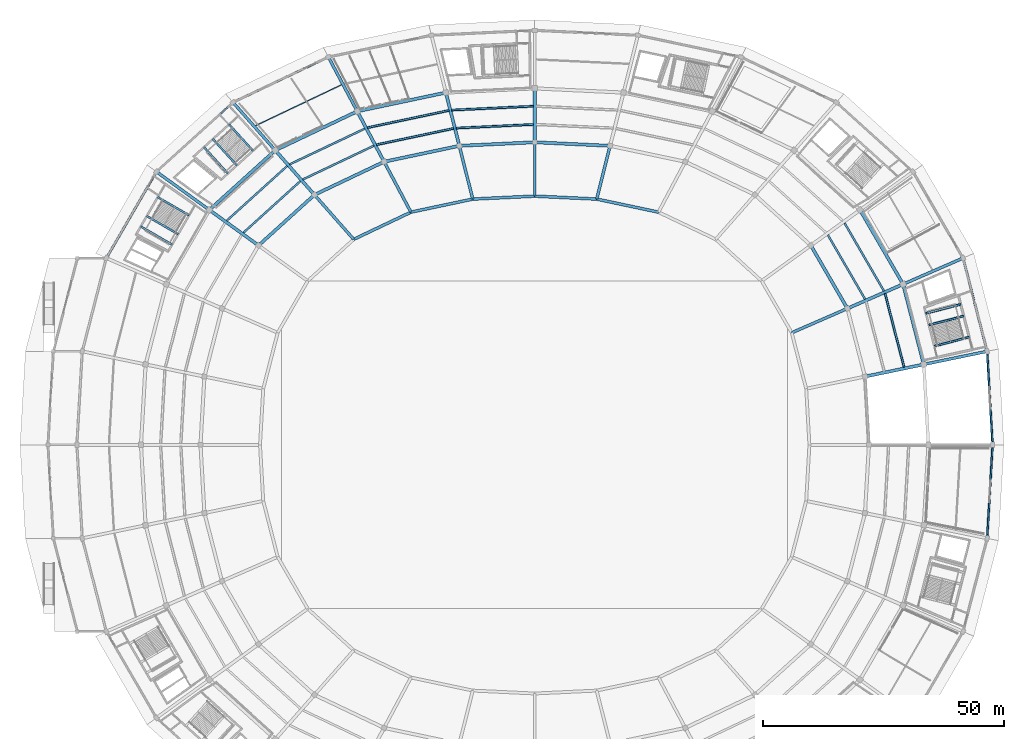
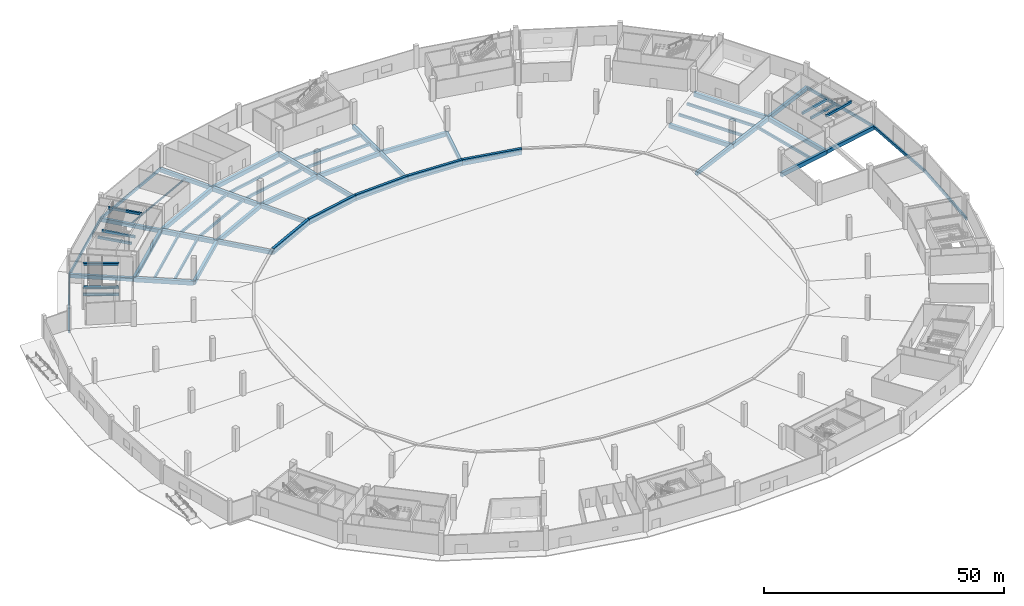
# One storey, part 5 of 48: 66 beams.
"""IFC4 building model written with IfcOpenShell, lengths in metres."""

from ifc_helpers import new_model, si_unit, direction, frame, origin, origin_2d, place, context, subcontext, project, spatial, rectangle, i_section, extrude, material, material_profile, profile_set, type_object, element, save


model = new_model("IFC4")

# Units and contexts
model_context = context("Model", 3, precision=1e-05, world=origin(), true_north=direction((0.0, 1.0)))
body_context = subcontext(model_context, "Body", "Model", "MODEL_VIEW")
ifc_project = project(units=[si_unit("LENGTHUNIT", "METRE"), si_unit("AREAUNIT", "SQUARE_METRE"), si_unit("VOLUMEUNIT", "CUBIC_METRE"), si_unit("PLANEANGLEUNIT", "RADIAN"), si_unit("MASSUNIT", "GRAM", prefix="KILO")], contexts=[model_context])

# Site, building, storey
site_placement = place(None, origin())
site = spatial("IfcSite", under=ifc_project, at=site_placement, CompositionType="ELEMENT")
building_placement = place(site_placement, origin())
building = spatial("IfcBuilding", under=site, at=building_placement, Name="Kazemori Nagisa Stadium", CompositionType="ELEMENT")
storey_placement = place(building_placement, origin())
storey = spatial("IfcBuildingStorey", under=building, at=storey_placement, Name="L00", CompositionType="ELEMENT", Elevation=0.0)

# Beams
ifc_material_1 = material(Name="Concrete C40/50 (Fc42)", Category="concrete")
ifc_material_profile_1 = material_profile(ifc_material_1, rectangle(XDim=0.39990234375, YDim=0.60009765625, at=origin_2d()), Name="RC-BM-400x600")
ifc_profile_set_1 = profile_set([ifc_material_profile_1], Name="Concrete C40/50 (Fc42)")
beam_type_1 = type_object("IfcBeamType", Name="Beam_BG-LND400X600", PredefinedType="BEAM", material=ifc_profile_set_1)
beam_1_placement = place(storey_placement, frame((204.788330078125, 126.869384765625, 2.389892578125), z_axis=(0.968258440217, 0.24995118113, 0.0), x_axis=(-0.24995118113, 0.968258440217, 0.0)))
element("IfcBeam", 1, at=beam_1_placement, inside=storey, type_object=beam_type_1, Name="Core stair mid-landing girder ST07-L00-1", PredefinedType="BEAM", context=body_context, shape_type="SweptSolid", body=[
    extrude(rectangle(XDim=0.39990234375, YDim=0.60009765625, at=origin_2d()), origin(), (0.0, 0.0, 1.0), 7.46826171875),
])
for number, where, z_axis, x_axis, name in (
    (2, (204.163330078125, 129.2900390625, 2.389892578125), (0.968260482475, 0.249943269717, 0.0), (-0.249943269717, 0.968260482475, 0.0), "Core stair mid-landing girder ST07-L00-2"),
    (3, (205.920654296875, 122.483154296875, 5.199951171875), (0.968252570883, 0.249973916595, 0.0), (-0.249973916595, 0.968252570883, 0.0), "Core stair arrival header girder ST07-L00"),
):
    element("IfcBeam", number, at=place(storey_placement, frame(where, z_axis=z_axis, x_axis=x_axis)), inside=storey, type_object=beam_type_1, Name=name, PredefinedType="BEAM", context=body_context, shape_type="SweptSolid", body=[
        extrude(rectangle(XDim=0.39990234375, YDim=0.60009765625, at=origin_2d()), origin(), (0.0, 0.0, 1.0), 7.468505859375),
    ])
for number, where, z_axis, x_axis, name in (
    (4, (61.184814453125, 159.97314453125, 2.389892578125), (-0.671113236271, 0.74135485707, 0.0), (-0.74135485707, -0.671113236271, 0.0), "Core stair mid-landing girder ST02-L00-1"),
    (5, (59.33154296875, 158.29541015625, 2.389892578125), (-0.671113236271, 0.74135485707, 0.0), (-0.74135485707, -0.671113236271, 0.0), "Core stair mid-landing girder ST02-L00-2"),
    (6, (64.543212890625, 163.01318359375, 5.199951171875), (-0.671113236271, 0.74135485707, 0.0), (-0.74135485707, -0.671113236271, 0.0), "Core stair arrival header girder ST02-L00"),
):
    element("IfcBeam", number, at=place(storey_placement, frame(where, z_axis=z_axis, x_axis=x_axis)), inside=storey, type_object=beam_type_1, Name=name, PredefinedType="BEAM", context=body_context, shape_type="SweptSolid", body=[
        extrude(rectangle(XDim=0.39990234375, YDim=0.60009765625, at=origin_2d()), origin(), (0.0, 0.0, 1.0), 7.385986328125),
    ])
for number, where, z_axis, x_axis, name in (
    (7, (49.013427734375, 145.702880859375, 2.389892578125), (-0.865094639125, 0.501608677514, 0.0), (-0.501608677514, -0.865094639125, 0.0), "Core stair mid-landing girder ST08-L00-1"),
    (8, (47.759521484375, 143.540283203125, 2.389892578125), (-0.865094639125, 0.501608677514, 0.0), (-0.501608677514, -0.865094639125, 0.0), "Core stair mid-landing girder ST08-L00-2"),
):
    element("IfcBeam", number, at=place(storey_placement, frame(where, z_axis=z_axis, x_axis=x_axis)), inside=storey, type_object=beam_type_1, Name=name, PredefinedType="BEAM", context=body_context, shape_type="SweptSolid", body=[
        extrude(rectangle(XDim=0.39990234375, YDim=0.60009765625, at=origin_2d()), origin(), (0.0, 0.0, 1.0), 7.513916015625),
    ])
beam_2_placement = place(storey_placement, frame((51.28564453125, 149.621826171875, 5.199951171875), z_axis=(-0.865086463473, 0.50162277731, 0.0), x_axis=(-0.50162277731, -0.865086463473, 0.0)))
element("IfcBeam", 9, at=beam_2_placement, inside=storey, type_object=beam_type_1, Name="Core stair arrival header girder ST08-L00", PredefinedType="BEAM", context=body_context, shape_type="SweptSolid", body=[
    extrude(rectangle(XDim=0.39990234375, YDim=0.60009765625, at=origin_2d()), origin(), (0.0, 0.0, 1.0), 7.513671875),
])
ifc_material_profile_2 = material_profile(ifc_material_1, rectangle(XDim=0.60009765625, YDim=0.949951171875, at=origin_2d()), Name="RC-BM-600x950")
ifc_profile_set_2 = profile_set([ifc_material_profile_2], Name="Concrete C40/50 (Fc42)")
beam_type_2 = type_object("IfcBeamType", Name="Beam_BG-RC600X950", PredefinedType="BEAM", material=ifc_profile_set_2)
beam_3_placement = place(storey_placement, frame((148.682861328125, 150.278564453125, -0.77490234375), z_axis=(-0.978343611705, 0.206987384729, 0.0), x_axis=(-0.206987384729, -0.978343611705, 0.0)))
element("IfcBeam", 10, at=beam_3_placement, inside=storey, type_object=beam_type_2, Name="Ring girder BG-RC600X950 L00 R0-06", PredefinedType="BEAM", context=body_context, shape_type="SweptSolid", body=[
    extrude(rectangle(XDim=0.60009765625, YDim=0.949951171875, at=origin_2d()), origin(), (0.0, 0.0, 1.0), 13.110107421875),
])
for number, where, z_axis, x_axis, name in (
    (11, (135.856689453125, 152.9921875, -0.77490234375), (-0.998884003033, 0.047230800166, 0.0), (-0.047230800166, -0.998884003033, 0.0), "Ring girder BG-RC600X950 L00 R0-07"),
    (12, (123.0, 153.60009765625, -0.77490234375), (-0.998884003033, -0.047230800166, 0.0), (0.047230800166, -0.998884003033, 0.0), "Ring girder BG-RC600X950 L00 R0-08"),
):
    element("IfcBeam", number, at=place(storey_placement, frame(where, z_axis=z_axis, x_axis=x_axis)), inside=storey, type_object=beam_type_2, Name=name, PredefinedType="BEAM", context=body_context, shape_type="SweptSolid", body=[
        extrude(rectangle(XDim=0.60009765625, YDim=0.949951171875, at=origin_2d()), origin(), (0.0, 0.0, 1.0), 12.87109375),
    ])
beam_4_placement = place(storey_placement, frame((110.143310546875, 152.9921875, -0.77490234375), z_axis=(-0.978343611705, -0.206987384729, 0.0), x_axis=(0.206987384729, -0.978343611705, 0.0)))
element("IfcBeam", 13, at=beam_4_placement, inside=storey, type_object=beam_type_2, Name="Ring girder BG-RC600X950 L00 R0-09", PredefinedType="BEAM", context=body_context, shape_type="SweptSolid", body=[
    extrude(rectangle(XDim=0.60009765625, YDim=0.949951171875, at=origin_2d()), origin(), (0.0, 0.0, 1.0), 13.110107421875),
])
beam_5_placement = place(storey_placement, frame((97.317138671875, 150.278564453125, -0.77490234375), z_axis=(-0.903219207247, -0.429179523812, 0.0), x_axis=(0.429179523812, -0.903219207247, 0.0)))
element("IfcBeam", 14, at=beam_5_placement, inside=storey, type_object=beam_type_2, Name="Ring girder BG-RC600X950 L00 R0-10", PredefinedType="BEAM", context=body_context, shape_type="SweptSolid", body=[
    extrude(rectangle(XDim=0.60009765625, YDim=0.949951171875, at=origin_2d()), origin(), (0.0, 0.0, 1.0), 13.1484375),
])
beam_6_placement = place(storey_placement, frame((176.3310546875, 125.249755859375, -0.77490234375), z_axis=(0.916678864185, 0.399624648835, 0.0), x_axis=(-0.399624648835, 0.916678864185, 0.0)))
element("IfcBeam", 15, at=beam_6_placement, inside=storey, type_object=beam_type_2, Name="Radial girder BG-RC600X950 L00 R0-R1-03", PredefinedType="BEAM", context=body_context, shape_type="SweptSolid", body=[
    extrude(rectangle(XDim=0.60009765625, YDim=0.949951171875, at=origin_2d()), origin(), (0.0, 0.0, 1.0), 12.605224609375),
])
beam_7_placement = place(storey_placement, frame((135.856689453125, 152.9921875, -0.77490234375), z_axis=(0.244466138833, 0.969657829837, 0.0), x_axis=(-0.969657829837, 0.244466138833, 0.0)))
element("IfcBeam", 16, at=beam_7_placement, inside=storey, type_object=beam_type_2, Name="Radial girder BG-RC600X950 L00 R0-R1-07", PredefinedType="BEAM", context=body_context, shape_type="SweptSolid", body=[
    extrude(rectangle(XDim=0.60009765625, YDim=0.949951171875, at=origin_2d()), origin(), (0.0, 0.0, 1.0), 11.393798828125),
])
beam_8_placement = place(storey_placement, frame((123.0, 153.60009765625, -0.77490234375), z_axis=(0.0, 1.0, 0.0), x_axis=(-1.0, 0.0, 0.0)))
element("IfcBeam", 17, at=beam_8_placement, inside=storey, type_object=beam_type_2, Name="Radial girder BG-RC600X950 L00 R0-R1-08", PredefinedType="BEAM", context=body_context, shape_type="SweptSolid", body=[
    extrude(rectangle(XDim=0.60009765625, YDim=0.949951171875, at=origin_2d()), origin(), (0.0, 0.0, 1.0), 11.179931640625),
])
beam_9_placement = place(storey_placement, frame((110.143310546875, 152.9921875, -0.77490234375), z_axis=(-0.244466138833, 0.969657829837, 0.0), x_axis=(-0.969657829837, -0.244466138833, 0.0)))
element("IfcBeam", 18, at=beam_9_placement, inside=storey, type_object=beam_type_2, Name="Radial girder BG-RC600X950 L00 R0-R1-09", PredefinedType="BEAM", context=body_context, shape_type="SweptSolid", body=[
    extrude(rectangle(XDim=0.60009765625, YDim=0.949951171875, at=origin_2d()), origin(), (0.0, 0.0, 1.0), 11.393798828125),
])
beam_10_placement = place(storey_placement, frame((97.317138671875, 150.278564453125, -0.77490234375), z_axis=(-0.469654321007, 0.882850394325, 0.0), x_axis=(-0.882850394325, -0.469654321007, 0.0)))
element("IfcBeam", 19, at=beam_10_placement, inside=storey, type_object=beam_type_2, Name="Radial girder BG-RC600X950 L00 R0-R1-10", PredefinedType="BEAM", context=body_context, shape_type="SweptSolid", body=[
    extrude(rectangle(XDim=0.60009765625, YDim=0.949951171875, at=origin_2d()), origin(), (0.0, 0.0, 1.0), 11.848388671875),
])
beam_11_placement = place(storey_placement, frame((85.441162109375, 144.635498046875, -0.77490234375), z_axis=(-0.66102389667, 0.750364849943, 0.0), x_axis=(-0.750364849943, -0.66102389667, 0.0)))
element("IfcBeam", 20, at=beam_11_placement, inside=storey, type_object=beam_type_2, Name="Radial girder BG-RC600X950 L00 R0-R1-11", PredefinedType="BEAM", context=body_context, shape_type="SweptSolid", body=[
    extrude(rectangle(XDim=0.60009765625, YDim=0.949951171875, at=origin_2d()), origin(), (0.0, 0.0, 1.0), 12.310791015625),
])
beam_12_placement = place(storey_placement, frame((203.737548828125, 118.68212890625, -0.77490234375), z_axis=(0.979315516463, 0.202339119339, 0.0), x_axis=(-0.202339119339, 0.979315516463, 0.0)))
element("IfcBeam", 21, at=beam_12_placement, inside=storey, type_object=beam_type_2, Name="Radial girder BG-RC600X950 L00 R2-R3-02", PredefinedType="BEAM", context=body_context, shape_type="SweptSolid", body=[
    extrude(rectangle(XDim=0.60009765625, YDim=0.949951171875, at=origin_2d()), origin(), (0.0, 0.0, 1.0), 13.4208984375),
])
beam_13_placement = place(storey_placement, frame((199.44091796875, 135.32470703125, -0.77490234375), z_axis=(0.916683633521, 0.399613708517, 0.0), x_axis=(-0.399613708517, 0.916683633521, 0.0)))
element("IfcBeam", 22, at=beam_13_placement, inside=storey, type_object=beam_type_2, Name="Radial girder BG-RC600X950 L00 R2-R3-03", PredefinedType="BEAM", context=body_context, shape_type="SweptSolid", body=[
    extrude(rectangle(XDim=0.60009765625, YDim=0.949951171875, at=origin_2d()), origin(), (0.0, 0.0, 1.0), 13.5751953125),
])
beam_14_placement = place(storey_placement, frame((86.18798828125, 171.19921875, -0.77490234375), z_axis=(-0.469648511848, 0.882853484628, 0.0), x_axis=(-0.882853484628, -0.469648511848, 0.0)))
element("IfcBeam", 23, at=beam_14_placement, inside=storey, type_object=beam_type_2, Name="Radial girder BG-RC600X950 L00 R2-R3-10", PredefinedType="BEAM", context=body_context, shape_type="SweptSolid", body=[
    extrude(rectangle(XDim=0.60009765625, YDim=0.949951171875, at=origin_2d()), origin(), (0.0, 0.0, 1.0), 12.760009765625),
])
beam_15_placement = place(storey_placement, frame((69.165771484375, 163.11083984375, -0.77490234375), z_axis=(-0.661019680997, 0.750368563664, 0.0), x_axis=(-0.750368563664, -0.661019680997, 0.0)))
element("IfcBeam", 24, at=beam_15_placement, inside=storey, type_object=beam_type_2, Name="Radial girder BG-RC600X950 L00 R2-R3-11", PredefinedType="BEAM", context=body_context, shape_type="SweptSolid", body=[
    extrude(rectangle(XDim=0.60009765625, YDim=0.949951171875, at=origin_2d()), origin(), (0.0, 0.0, 1.0), 13.2578125),
])
beam_16_placement = place(storey_placement, frame((55.493896484375, 150.734130859375, -0.77490234375), z_axis=(-0.810787509935, 0.585340596349, 0.0), x_axis=(-0.585340596349, -0.810787509935, 0.0)))
element("IfcBeam", 25, at=beam_16_placement, inside=storey, type_object=beam_type_2, Name="Radial girder BG-RC600X950 L00 R2-R3-12", PredefinedType="BEAM", context=body_context, shape_type="SweptSolid", body=[
    extrude(rectangle(XDim=0.60009765625, YDim=0.949951171875, at=origin_2d()), origin(), (0.0, 0.0, 1.0), 13.5537109375),
])
beam_17_placement = place(storey_placement, frame((148.682861328125, 150.278564453125, -0.199951171875), z_axis=(-0.978343611705, 0.206987384729, 0.0), x_axis=(-0.206987384729, -0.978343611705, 0.0)))
element("IfcBeam", 26, at=beam_17_placement, inside=storey, type_object=beam_type_2, Name="Lower tier front ring beam 06", PredefinedType="BEAM", context=body_context, shape_type="SweptSolid", body=[
    extrude(rectangle(XDim=0.60009765625, YDim=0.949951171875, at=origin_2d()), origin(), (0.0, 0.0, 1.0), 13.110107421875),
])
for number, where, z_axis, x_axis, name in (
    (27, (135.856689453125, 152.9921875, -0.199951171875), (-0.998884003033, 0.047230800166, 0.0), (-0.047230800166, -0.998884003033, 0.0), "Lower tier front ring beam 07"),
    (28, (123.0, 153.60009765625, -0.199951171875), (-0.998884003033, -0.047230800166, 0.0), (0.047230800166, -0.998884003033, 0.0), "Lower tier front ring beam 08"),
):
    element("IfcBeam", number, at=place(storey_placement, frame(where, z_axis=z_axis, x_axis=x_axis)), inside=storey, type_object=beam_type_2, Name=name, PredefinedType="BEAM", context=body_context, shape_type="SweptSolid", body=[
        extrude(rectangle(XDim=0.60009765625, YDim=0.949951171875, at=origin_2d()), origin(), (0.0, 0.0, 1.0), 12.87109375),
    ])
beam_18_placement = place(storey_placement, frame((110.143310546875, 152.9921875, -0.199951171875), z_axis=(-0.978343611705, -0.206987384729, 0.0), x_axis=(0.206987384729, -0.978343611705, 0.0)))
element("IfcBeam", 29, at=beam_18_placement, inside=storey, type_object=beam_type_2, Name="Lower tier front ring beam 09", PredefinedType="BEAM", context=body_context, shape_type="SweptSolid", body=[
    extrude(rectangle(XDim=0.60009765625, YDim=0.949951171875, at=origin_2d()), origin(), (0.0, 0.0, 1.0), 13.110107421875),
])
beam_19_placement = place(storey_placement, frame((97.317138671875, 150.278564453125, -0.199951171875), z_axis=(-0.903219207247, -0.429179523812, 0.0), x_axis=(0.429179523812, -0.903219207247, 0.0)))
element("IfcBeam", 30, at=beam_19_placement, inside=storey, type_object=beam_type_2, Name="Lower tier front ring beam 10", PredefinedType="BEAM", context=body_context, shape_type="SweptSolid", body=[
    extrude(rectangle(XDim=0.60009765625, YDim=0.949951171875, at=origin_2d()), origin(), (0.0, 0.0, 1.0), 13.1484375),
])
ifc_material_profile_3 = material_profile(ifc_material_1, rectangle(XDim=0.64990234375, YDim=1.050048828125, at=origin_2d()), Name="RC-BM-650x1050")
ifc_profile_set_3 = profile_set([ifc_material_profile_3], Name="Concrete C40/50 (Fc42)")
beam_type_3 = type_object("IfcBeamType", Name="Beam_BG-RC650X1050", PredefinedType="BEAM", material=ifc_profile_set_3)
beam_20_placement = place(storey_placement, frame((187.885986328125, 130.287109375, -0.824951171875), z_axis=(-0.501613453924, 0.865091869597, 0.0), x_axis=(-0.865091869597, -0.501613453924, 0.0)))
element("IfcBeam", 31, at=beam_20_placement, inside=storey, type_object=beam_type_3, Name="Ring girder BG-RC650X1050 L00 R1-03", PredefinedType="BEAM", context=body_context, shape_type="SweptSolid", body=[
    extrude(rectangle(XDim=0.64990234375, YDim=1.050048828125, at=origin_2d()), origin(), (0.0, 0.0, 1.0), 15.1201171875),
])
for number, where, z_axis, x_axis, name in (
    (32, (138.64208984375, 164.040283203125, -0.824951171875), (-0.998883604512, 0.047239227746, 0.0), (-0.047239227746, -0.998883604512, 0.0), "Ring girder BG-RC650X1050 L00 R1-07"),
    (33, (123.0, 164.780029296875, -0.824951171875), (-0.998883604512, -0.047239227746, 0.0), (0.047239227746, -0.998883604512, 0.0), "Ring girder BG-RC650X1050 L00 R1-08"),
):
    element("IfcBeam", number, at=place(storey_placement, frame(where, z_axis=z_axis, x_axis=x_axis)), inside=storey, type_object=beam_type_3, Name=name, PredefinedType="BEAM", context=body_context, shape_type="SweptSolid", body=[
        extrude(rectangle(XDim=0.64990234375, YDim=1.050048828125, at=origin_2d()), origin(), (0.0, 0.0, 1.0), 15.65966796875),
    ])
beam_21_placement = place(storey_placement, frame((107.35791015625, 164.040283203125, -0.824951171875), z_axis=(-0.978348272746, -0.206965352692, 0.0), x_axis=(0.206965352692, -0.978348272746, 0.0)))
element("IfcBeam", 34, at=beam_21_placement, inside=storey, type_object=beam_type_3, Name="Ring girder BG-RC650X1050 L00 R1-09", PredefinedType="BEAM", context=body_context, shape_type="SweptSolid", body=[
    extrude(rectangle(XDim=0.64990234375, YDim=1.050048828125, at=origin_2d()), origin(), (0.0, 0.0, 1.0), 15.950927734375),
])
beam_22_placement = place(storey_placement, frame((91.75244140625, 160.739013671875, -0.824951171875), z_axis=(-0.903211989129, -0.429194714196, 0.0), x_axis=(0.429194714196, -0.903211989129, 0.0)))
element("IfcBeam", 35, at=beam_22_placement, inside=storey, type_object=beam_type_3, Name="Ring girder BG-RC650X1050 L00 R1-10", PredefinedType="BEAM", context=body_context, shape_type="SweptSolid", body=[
    extrude(rectangle(XDim=0.64990234375, YDim=1.050048828125, at=origin_2d()), origin(), (0.0, 0.0, 1.0), 15.997314453125),
])
beam_23_placement = place(storey_placement, frame((77.303466796875, 153.873046875, -0.824951171875), z_axis=(-0.741349160152, -0.6711195294, 0.0), x_axis=(0.6711195294, -0.741349160152, 0.0)))
element("IfcBeam", 36, at=beam_23_placement, inside=storey, type_object=beam_type_3, Name="Ring girder BG-RC650X1050 L00 R1-11", PredefinedType="BEAM", context=body_context, shape_type="SweptSolid", body=[
    extrude(rectangle(XDim=0.64990234375, YDim=1.050048828125, at=origin_2d()), origin(), (0.0, 0.0, 1.0), 15.65380859375),
])
beam_24_placement = place(storey_placement, frame((203.737548828125, 118.68212890625, -0.824951171875), z_axis=(-0.249974673676, 0.968252375427, 0.0), x_axis=(-0.968252375427, -0.249974673676, 0.0)))
element("IfcBeam", 37, at=beam_24_placement, inside=storey, type_object=beam_type_3, Name="Ring girder BG-RC650X1050 L00 R2-02", PredefinedType="BEAM", context=body_context, shape_type="SweptSolid", body=[
    extrude(rectangle(XDim=0.64990234375, YDim=1.050048828125, at=origin_2d()), origin(), (0.0, 0.0, 1.0), 17.188232421875),
])
beam_25_placement = place(storey_placement, frame((199.44091796875, 135.32470703125, -0.824951171875), z_axis=(-0.501606704589, 0.865095783085, 0.0), x_axis=(-0.865095783085, -0.501606704589, 0.0)))
element("IfcBeam", 38, at=beam_25_placement, inside=storey, type_object=beam_type_3, Name="Ring girder BG-RC650X1050 L00 R2-03", PredefinedType="BEAM", context=body_context, shape_type="SweptSolid", body=[
    extrude(rectangle(XDim=0.64990234375, YDim=1.050048828125, at=origin_2d()), origin(), (0.0, 0.0, 1.0), 17.8125),
])
beam_26_placement = place(storey_placement, frame((104.572265625, 175.088623046875, -0.824951171875), z_axis=(-0.978345149833, -0.206980114499, 0.0), x_axis=(0.206980114499, -0.978345149833, 0.0)))
element("IfcBeam", 39, at=beam_26_placement, inside=storey, type_object=beam_type_3, Name="Ring girder BG-RC650X1050 L00 R2-09", PredefinedType="BEAM", context=body_context, shape_type="SweptSolid", body=[
    extrude(rectangle(XDim=0.64990234375, YDim=1.050048828125, at=origin_2d()), origin(), (0.0, 0.0, 1.0), 18.791259765625),
])
beam_27_placement = place(storey_placement, frame((86.18798828125, 171.19921875, -0.824951171875), z_axis=(-0.90321938295, -0.42917915404, 0.0), x_axis=(0.42917915404, -0.90321938295, 0.0)))
element("IfcBeam", 40, at=beam_27_placement, inside=storey, type_object=beam_type_3, Name="Ring girder BG-RC650X1050 L00 R2-10", PredefinedType="BEAM", context=body_context, shape_type="SweptSolid", body=[
    extrude(rectangle(XDim=0.64990234375, YDim=1.050048828125, at=origin_2d()), origin(), (0.0, 0.0, 1.0), 18.84619140625),
])
beam_28_placement = place(storey_placement, frame((69.165771484375, 163.11083984375, -0.824951171875), z_axis=(-0.741349142139, -0.671119549298, 0.0), x_axis=(0.671119549298, -0.741349142139, 0.0)))
element("IfcBeam", 41, at=beam_28_placement, inside=storey, type_object=beam_type_3, Name="Ring girder BG-RC650X1050 L00 R2-11", PredefinedType="BEAM", context=body_context, shape_type="SweptSolid", body=[
    extrude(rectangle(XDim=0.64990234375, YDim=1.050048828125, at=origin_2d()), origin(), (0.0, 0.0, 1.0), 18.44189453125),
])
beam_29_placement = place(storey_placement, frame((191.532958984375, 116.160400390625, -0.824951171875), z_axis=(0.979313861938, 0.202347127025, 0.0), x_axis=(-0.202347127025, 0.979313861938, 0.0)))
element("IfcBeam", 42, at=beam_29_placement, inside=storey, type_object=beam_type_3, Name="Radial girder BG-RC650X1050 L00 R1-R2-02", PredefinedType="BEAM", context=body_context, shape_type="SweptSolid", body=[
    extrude(rectangle(XDim=0.64990234375, YDim=1.050048828125, at=origin_2d()), origin(), (0.0, 0.0, 1.0), 12.46240234375),
])
beam_30_placement = place(storey_placement, frame((187.885986328125, 130.287109375, -0.824951171875), z_axis=(0.916671768981, 0.399640923771, 0.0), x_axis=(-0.399640923771, 0.916671768981, 0.0)))
element("IfcBeam", 43, at=beam_30_placement, inside=storey, type_object=beam_type_3, Name="Radial girder BG-RC650X1050 L00 R1-R2-03", PredefinedType="BEAM", context=body_context, shape_type="SweptSolid", body=[
    extrude(rectangle(XDim=0.64990234375, YDim=1.050048828125, at=origin_2d()), origin(), (0.0, 0.0, 1.0), 12.605224609375),
])
beam_31_placement = place(storey_placement, frame((123.0, 164.780029296875, -0.824951171875), z_axis=(0.0, 1.0, 0.0), x_axis=(-1.0, 0.0, 0.0)))
element("IfcBeam", 44, at=beam_31_placement, inside=storey, type_object=beam_type_3, Name="Radial girder BG-RC650X1050 L00 R1-R2-08", PredefinedType="BEAM", context=body_context, shape_type="SweptSolid", body=[
    extrude(rectangle(XDim=0.64990234375, YDim=1.050048828125, at=origin_2d()), origin(), (0.0, 0.0, 1.0), 11.179931640625),
])
beam_32_placement = place(storey_placement, frame((107.35791015625, 164.040283203125, -0.824951171875), z_axis=(-0.244481205955, 0.969654031052, 0.0), x_axis=(-0.969654031052, -0.244481205955, 0.0)))
element("IfcBeam", 45, at=beam_32_placement, inside=storey, type_object=beam_type_3, Name="Radial girder BG-RC650X1050 L00 R1-R2-09", PredefinedType="BEAM", context=body_context, shape_type="SweptSolid", body=[
    extrude(rectangle(XDim=0.64990234375, YDim=1.050048828125, at=origin_2d()), origin(), (0.0, 0.0, 1.0), 11.39404296875),
])
beam_33_placement = place(storey_placement, frame((91.75244140625, 160.739013671875, -0.824951171875), z_axis=(-0.469646804203, 0.882854393036, 0.0), x_axis=(-0.882854393036, -0.469646804203, 0.0)))
element("IfcBeam", 46, at=beam_33_placement, inside=storey, type_object=beam_type_3, Name="Radial girder BG-RC650X1050 L00 R1-R2-10", PredefinedType="BEAM", context=body_context, shape_type="SweptSolid", body=[
    extrude(rectangle(XDim=0.64990234375, YDim=1.050048828125, at=origin_2d()), origin(), (0.0, 0.0, 1.0), 11.84814453125),
])
beam_34_placement = place(storey_placement, frame((77.303466796875, 153.873046875, -0.824951171875), z_axis=(-0.66101406015, 0.75037351518, 0.0), x_axis=(-0.75037351518, -0.66101406015, 0.0)))
element("IfcBeam", 47, at=beam_34_placement, inside=storey, type_object=beam_type_3, Name="Radial girder BG-RC650X1050 L00 R1-R2-11", PredefinedType="BEAM", context=body_context, shape_type="SweptSolid", body=[
    extrude(rectangle(XDim=0.64990234375, YDim=1.050048828125, at=origin_2d()), origin(), (0.0, 0.0, 1.0), 12.31103515625),
])
beam_35_placement = place(storey_placement, frame((65.698486328125, 143.367431640625, -0.824951171875), z_axis=(-0.810802996314, 0.585319144714, 0.0), x_axis=(-0.585319144714, -0.810802996314, 0.0)))
element("IfcBeam", 48, at=beam_35_placement, inside=storey, type_object=beam_type_3, Name="Radial girder BG-RC650X1050 L00 R1-R2-12", PredefinedType="BEAM", context=body_context, shape_type="SweptSolid", body=[
    extrude(rectangle(XDim=0.64990234375, YDim=1.050048828125, at=origin_2d()), origin(), (0.0, 0.0, 1.0), 12.585693359375),
])
ifc_material_2 = material(Name="Steel SN490B", Category="steel")
ifc_material_profile_4 = material_profile(ifc_material_2, i_section(OverallWidth=0.199951171875, OverallDepth=0.449951171875, WebThickness=0.009033203125, FlangeThickness=0.013916015625, FilletRadius=0.012939453125, at=origin_2d()), Name="H-450x200x9x14")
ifc_profile_set_4 = profile_set([ifc_material_profile_4], Name="Steel SN490B")
beam_type_4 = type_object("IfcBeamType", Name="Beam_BJ-H450", PredefinedType="JOIST", material=ifc_profile_set_4)
beam_36_placement = place(storey_placement, frame((82.925048828125, 176.705078125, -0.52490234375), z_axis=(-0.903215938438, -0.429186403036, 0.0), x_axis=(0.429186403036, -0.903215938438, 0.0)))
element("IfcBeam", 49, at=beam_36_placement, inside=storey, type_object=beam_type_4, Name="Outer bay joist BJ-H450 L00 B10", PredefinedType="JOIST", context=body_context, shape_type="SweptSolid", body=[
    extrude(i_section(OverallWidth=0.199951171875, OverallDepth=0.449951171875, WebThickness=0.009033203125, FlangeThickness=0.013916015625, FilletRadius=0.012939453125, at=origin_2d()), origin(), (0.0, 0.0, 1.0), 19.7900390625),
])
ifc_material_profile_5 = material_profile(ifc_material_1, rectangle(XDim=0.39990234375, YDim=0.64990234375, at=origin_2d()), Name="RC-BM-400x650")
ifc_profile_set_5 = profile_set([ifc_material_profile_5], Name="Concrete C40/50 (Fc42)")
beam_type_5 = type_object("IfcBeamType", Name="Beam_BJ-RC400X650", PredefinedType="JOIST", material=ifc_profile_set_5)
beam_37_placement = place(storey_placement, frame((199.626953125, 118.133544921875, -0.625), z_axis=(-0.24997419154, 0.968252499901, 0.0), x_axis=(-0.968252499901, -0.24997419154, 0.0)))
element("IfcBeam", 50, at=beam_37_placement, inside=storey, type_object=beam_type_5, Name="Concourse joist BJ-RC400X650 L00 B02-2", PredefinedType="JOIST", context=body_context, shape_type="SweptSolid", body=[
    extrude(rectangle(XDim=0.39990234375, YDim=0.64990234375, at=origin_2d()), origin(), (0.0, 0.0, 1.0), 15.739013671875),
])
beam_38_placement = place(storey_placement, frame((191.56005859375, 132.20849609375, -0.625), z_axis=(-0.501607199617, 0.865095496054, 0.0), x_axis=(-0.865095496054, -0.501607199617, 0.0)))
element("IfcBeam", 51, at=beam_38_placement, inside=storey, type_object=beam_type_5, Name="Concourse joist BJ-RC400X650 L00 B03-1", PredefinedType="JOIST", context=body_context, shape_type="SweptSolid", body=[
    extrude(rectangle(XDim=0.39990234375, YDim=0.64990234375, at=origin_2d()), origin(), (0.0, 0.0, 1.0), 15.420654296875),
])
beam_39_placement = place(storey_placement, frame((195.470947265625, 133.91357421875, -0.625), z_axis=(-0.501604213872, 0.865097227268, 0.0), x_axis=(-0.865097227268, -0.501604213872, 0.0)))
element("IfcBeam", 52, at=beam_39_placement, inside=storey, type_object=beam_type_5, Name="Concourse joist BJ-RC400X650 L00 B03-2", PredefinedType="JOIST", context=body_context, shape_type="SweptSolid", body=[
    extrude(rectangle(XDim=0.39990234375, YDim=0.64990234375, at=origin_2d()), origin(), (0.0, 0.0, 1.0), 16.331787109375),
])
beam_40_placement = place(storey_placement, frame((122.705322265625, 168.464111328125, -0.625), z_axis=(-0.998883867028, -0.047233676462, 0.0), x_axis=(0.047233676462, -0.998883867028, 0.0)))
element("IfcBeam", 53, at=beam_40_placement, inside=storey, type_object=beam_type_5, Name="Concourse joist BJ-RC400X650 L00 B08-1", PredefinedType="JOIST", context=body_context, shape_type="SweptSolid", body=[
    extrude(rectangle(XDim=0.39990234375, YDim=0.64990234375, at=origin_2d()), origin(), (0.0, 0.0, 1.0), 15.9921875),
])
beam_41_placement = place(storey_placement, frame((122.705322265625, 172.248046875, -0.625), z_axis=(-0.998884256715, -0.047225434754, 0.0), x_axis=(0.047225434754, -0.998884256715, 0.0)))
element("IfcBeam", 54, at=beam_41_placement, inside=storey, type_object=beam_type_5, Name="Concourse joist BJ-RC400X650 L00 B08-2", PredefinedType="JOIST", context=body_context, shape_type="SweptSolid", body=[
    extrude(rectangle(XDim=0.39990234375, YDim=0.64990234375, at=origin_2d()), origin(), (0.0, 0.0, 1.0), 16.935791015625),
])
beam_42_placement = place(storey_placement, frame((106.147705078125, 167.6337890625, -0.625), z_axis=(-0.978345737153, -0.206977338361, 0.0), x_axis=(0.206977338361, -0.978345737153, 0.0)))
element("IfcBeam", 55, at=beam_42_placement, inside=storey, type_object=beam_type_5, Name="Concourse joist BJ-RC400X650 L00 B09-1", PredefinedType="JOIST", context=body_context, shape_type="SweptSolid", body=[
    extrude(rectangle(XDim=0.39990234375, YDim=0.64990234375, at=origin_2d()), origin(), (0.0, 0.0, 1.0), 16.30029296875),
])
beam_43_placement = place(storey_placement, frame((105.205078125, 171.373291015625, -0.625), z_axis=(-0.97834325925, -0.206989050628, 0.0), x_axis=(0.206989050628, -0.97834325925, 0.0)))
element("IfcBeam", 56, at=beam_43_placement, inside=storey, type_object=beam_type_5, Name="Concourse joist BJ-RC400X650 L00 B09-2", PredefinedType="JOIST", context=body_context, shape_type="SweptSolid", body=[
    extrude(rectangle(XDim=0.39990234375, YDim=0.64990234375, at=origin_2d()), origin(), (0.0, 0.0, 1.0), 17.26171875),
])
beam_44_placement = place(storey_placement, frame((89.6455078125, 164.072265625, -0.625), z_axis=(-0.903215717065, -0.429186868912, 0.0), x_axis=(0.429186868912, -0.903215717065, 0.0)))
element("IfcBeam", 57, at=beam_44_placement, inside=storey, type_object=beam_type_5, Name="Concourse joist BJ-RC400X650 L00 B10-1", PredefinedType="JOIST", context=body_context, shape_type="SweptSolid", body=[
    extrude(rectangle(XDim=0.39990234375, YDim=0.64990234375, at=origin_2d()), origin(), (0.0, 0.0, 1.0), 16.349609375),
])
beam_45_placement = place(storey_placement, frame((87.76220703125, 167.61279296875, -0.625), z_axis=(-0.903215468459, -0.429187392099, 0.0), x_axis=(0.429187392099, -0.903215468459, 0.0)))
element("IfcBeam", 58, at=beam_45_placement, inside=storey, type_object=beam_type_5, Name="Concourse joist BJ-RC400X650 L00 B10-2", PredefinedType="JOIST", context=body_context, shape_type="SweptSolid", body=[
    extrude(rectangle(XDim=0.39990234375, YDim=0.64990234375, at=origin_2d()), origin(), (0.0, 0.0, 1.0), 17.31396484375),
])
beam_46_placement = place(storey_placement, frame((74.39306640625, 156.730712890625, -0.625), z_axis=(-0.741344716793, -0.671124437704, 0.0), x_axis=(0.671124437704, -0.741344716793, 0.0)))
element("IfcBeam", 59, at=beam_46_placement, inside=storey, type_object=beam_type_5, Name="Concourse joist BJ-RC400X650 L00 B11-1", PredefinedType="JOIST", context=body_context, shape_type="SweptSolid", body=[
    extrude(rectangle(XDim=0.39990234375, YDim=0.64990234375, at=origin_2d()), origin(), (0.0, 0.0, 1.0), 15.986328125),
])
beam_47_placement = place(storey_placement, frame((71.638671875, 159.857177734375, -0.625), z_axis=(-0.741349213887, -0.671119470041, 0.0), x_axis=(0.671119470041, -0.741349213887, 0.0)))
element("IfcBeam", 60, at=beam_47_placement, inside=storey, type_object=beam_type_5, Name="Concourse joist BJ-RC400X650 L00 B11-2", PredefinedType="JOIST", context=body_context, shape_type="SweptSolid", body=[
    extrude(rectangle(XDim=0.39990234375, YDim=0.64990234375, at=origin_2d()), origin(), (0.0, 0.0, 1.0), 16.9296875),
])
ifc_material_profile_6 = material_profile(ifc_material_1, rectangle(XDim=0.35009765625, YDim=0.699951171875, at=origin_2d()), Name="RC-SP-350x700")
ifc_profile_set_6 = profile_set([ifc_material_profile_6], Name="Concrete C40/50 (Fc42)")
beam_type_6 = type_object("IfcBeamType", Name="Beam_BS-RC350X700", PredefinedType="SPANDREL", material=ifc_profile_set_6)
beam_48_placement = place(storey_placement, frame((218.0, 102.0, -0.64990234375), z_axis=(-0.057598702622, 0.998339816624, 0.0), x_axis=(-0.998339816624, -0.057598702622, 0.0)))
element("IfcBeam", 61, at=beam_48_placement, inside=storey, type_object=beam_type_6, Name="Ring girder BS-RC350X700 L00 R3-01", PredefinedType="SPANDREL", context=body_context, shape_type="SweptSolid", body=[
    extrude(rectangle(XDim=0.35009765625, YDim=0.699951171875, at=origin_2d()), origin(), (0.0, 0.0, 1.0), 19.429931640625),
])
beam_49_placement = place(storey_placement, frame((216.880859375, 121.397705078125, -0.64990234375), z_axis=(-0.249964097999, 0.968255105699, 0.0), x_axis=(-0.968255105699, -0.249964097999, 0.0)))
element("IfcBeam", 62, at=beam_49_placement, inside=storey, type_object=beam_type_6, Name="Ring girder BS-RC350X700 L00 R3-02", PredefinedType="SPANDREL", context=body_context, shape_type="SweptSolid", body=[
    extrude(rectangle(XDim=0.35009765625, YDim=0.699951171875, at=origin_2d()), origin(), (0.0, 0.0, 1.0), 19.986328125),
])
beam_50_placement = place(storey_placement, frame((80.1953125, 182.46435546875, -0.64990234375), z_axis=(-0.903215644095, -0.429187022475, 0.0), x_axis=(0.429187022475, -0.903215644095, 0.0)))
element("IfcBeam", 63, at=beam_50_placement, inside=storey, type_object=beam_type_6, Name="Ring girder BS-RC350X700 L00 R3-10", PredefinedType="SPANDREL", context=body_context, shape_type="SweptSolid", body=[
    extrude(rectangle(XDim=0.35009765625, YDim=0.699951171875, at=origin_2d()), origin(), (0.0, 0.0, 1.0), 21.9140625),
])
beam_51_placement = place(storey_placement, frame((60.402099609375, 173.05908203125, -0.64990234375), z_axis=(-0.741351531326, -0.671116910084, 0.0), x_axis=(0.671116910084, -0.741351531326, 0.0)))
element("IfcBeam", 64, at=beam_51_placement, inside=storey, type_object=beam_type_6, Name="Ring girder BS-RC350X700 L00 R3-11", PredefinedType="SPANDREL", context=body_context, shape_type="SweptSolid", body=[
    extrude(rectangle(XDim=0.35009765625, YDim=0.699951171875, at=origin_2d()), origin(), (0.0, 0.0, 1.0), 21.44384765625),
])
beam_52_placement = place(storey_placement, frame((44.504638671875, 158.667724609375, -0.64990234375), z_axis=(-0.50161277459, -0.8650922635, 0.0), x_axis=(0.8650922635, -0.50161277459, 0.0)))
element("IfcBeam", 65, at=beam_52_placement, inside=storey, type_object=beam_type_6, Name="Ring girder BS-RC350X700 L00 R3-12", PredefinedType="SPANDREL", context=body_context, shape_type="SweptSolid", body=[
    extrude(rectangle(XDim=0.35009765625, YDim=0.699951171875, at=origin_2d()), origin(), (0.0, 0.0, 1.0), 20.71240234375),
])
beam_53_placement = place(storey_placement, frame((216.880859375, 82.602294921875, -0.64990234375), z_axis=(0.057598702622, 0.998339816624, 0.0), x_axis=(-0.998339816624, 0.057598702622, 0.0)))
element("IfcBeam", 66, at=beam_53_placement, inside=storey, type_object=beam_type_6, Name="Ring girder BS-RC350X700 L00 R3-28", PredefinedType="SPANDREL", context=body_context, shape_type="SweptSolid", body=[
    extrude(rectangle(XDim=0.35009765625, YDim=0.699951171875, at=origin_2d()), origin(), (0.0, 0.0, 1.0), 19.429931640625),
])

save(model, "model.ifc")
